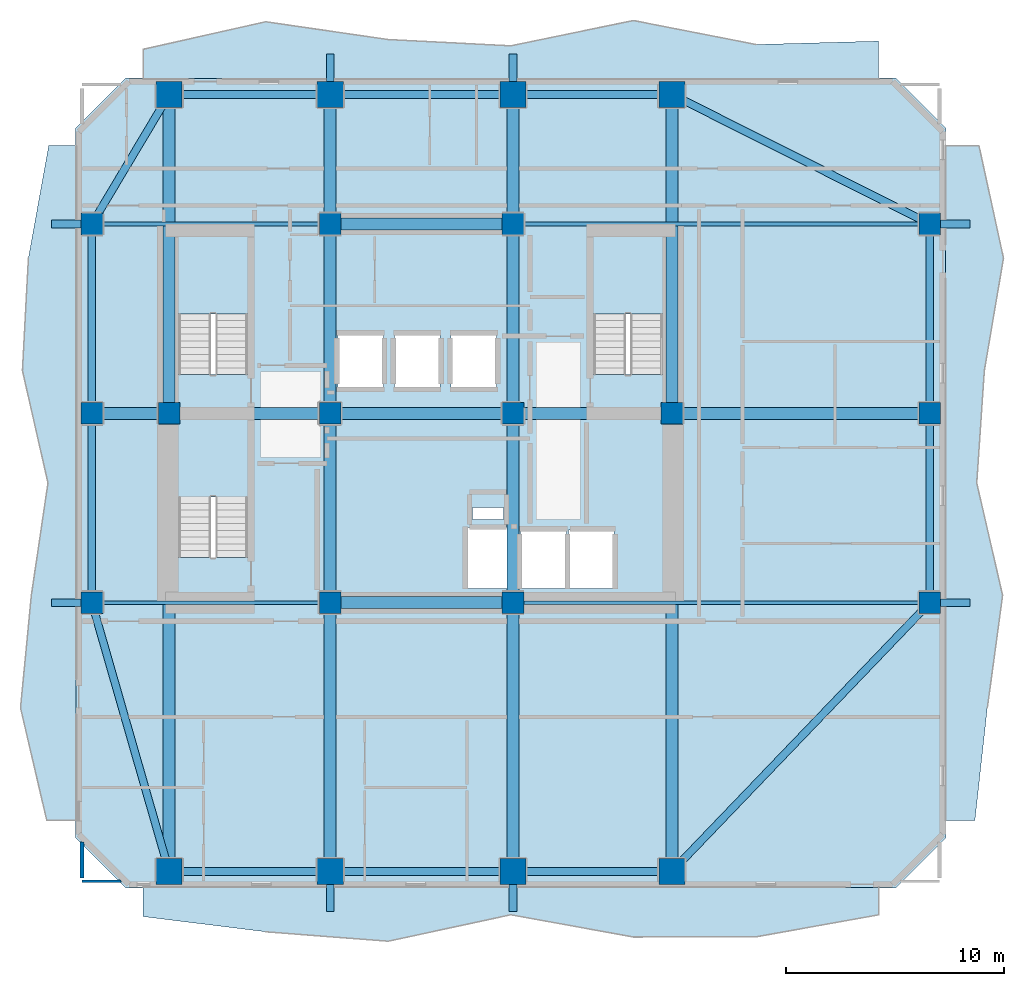
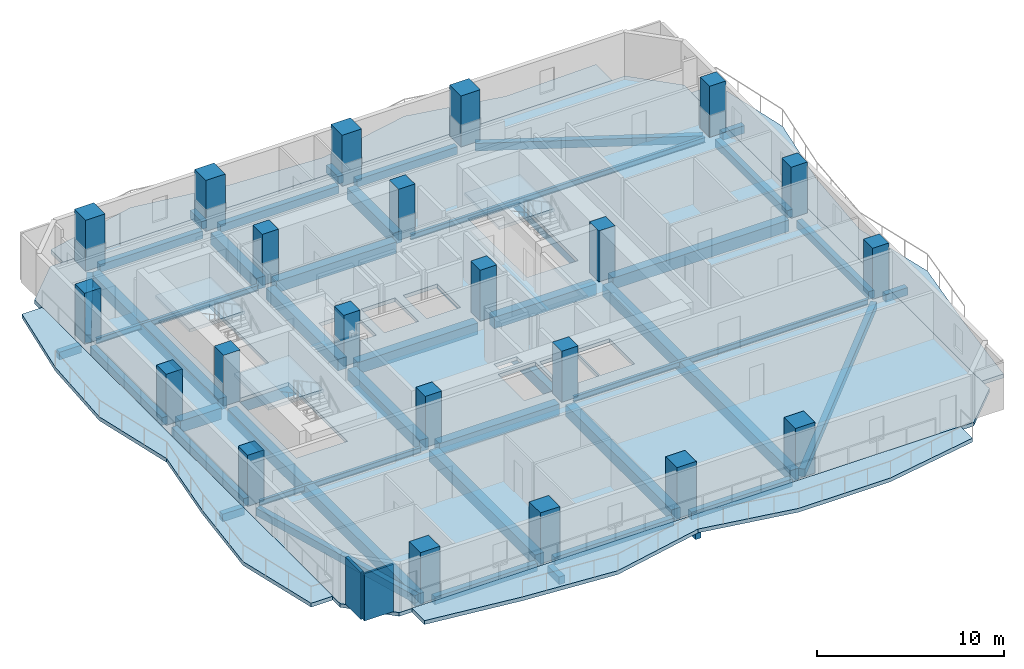
# One storey, part 1 of 9: 45 beams, 22 columns, 8 slabs, 2 walls, 3 elements without a shape of their own.
"""IFC4 building model written with IfcOpenShell, lengths in metres."""

from ifc_helpers import new_model, si_unit, direction, frame, frame_2d, origin, origin_2d, place, context, subcontext, project, spatial, polyline, rectangle, i_section, outline, extrude, material, layer, layer_set, material_profile, profile_set, type_object, element, aggregate, save


model = new_model("IFC4")

# Units and contexts
model_context = context("Model", 3, precision=1e-05, world=origin(), true_north=direction((0.0, 1.0)))
body_context = subcontext(model_context, "Body", "Model", "MODEL_VIEW")
ifc_project = project(units=[si_unit("LENGTHUNIT", "METRE"), si_unit("AREAUNIT", "SQUARE_METRE"), si_unit("VOLUMEUNIT", "CUBIC_METRE"), si_unit("PLANEANGLEUNIT", "RADIAN"), si_unit("MASSUNIT", "GRAM", prefix="KILO")], contexts=[model_context])

# Site, building, storey
site_placement = place(None, origin())
site = spatial("IfcSite", under=ifc_project, at=site_placement, CompositionType="ELEMENT")
building_placement = place(site_placement, origin())
building = spatial("IfcBuilding", under=site, at=building_placement, Name="Solanera Arch Residences", CompositionType="ELEMENT")
storey_placement = place(building_placement, frame((0.0, 0.0, 139.280029296875)))
storey = spatial("IfcBuildingStorey", under=building, at=storey_placement, Name="L40", CompositionType="ELEMENT", Elevation=139.280029296875)

# Columns
ifc_material_1 = material(Name="Concrete C55/67 (f'c = 60 MPa)", Category="concrete")
ifc_material_profile_1 = material_profile(ifc_material_1, rectangle(XDim=1.0, YDim=1.0, at=origin_2d()))
ifc_profile_set_1 = profile_set([ifc_material_profile_1], Name="Concrete C55/67 (f'c = 60 MPa)")
column_type_1 = type_object("IfcColumnType", Name="Structural Column RC-COL-1000X1000", PredefinedType="COLUMN", material=ifc_profile_set_1)
for number, where, z_axis, x_axis, name in (
    (1, (20.800048828125, 22.0, 0.0), (0.0, 0.0, 1.0), (1.0, 0.0, 0.0), "COL-L40-CB-SW"),
    (2, (29.199951171875, 22.0, 0.0), (0.0, 0.0, 1.0), (1.0, 0.0, 0.0), "COL-L40-CB-SE"),
    (3, (20.800048828125, 39.39990234375, 0.0), (0.0, 0.0, 1.0), (1.0, 0.0, 0.0), "COL-L40-CB-NW"),
    (4, (29.199951171875, 39.39990234375, 0.0), (0.0, 0.0, 1.0), (1.0, 0.0, 0.0), "COL-L40-CB-NE"),
    (5, (13.39990234375, 30.699951171875, 0.0), (0.0, 0.0, 1.0), (1.0, 0.0, 0.0), "COL-L40-CB-WW"),
    (6, (36.5, 30.699951171875, 0.0), (0.0, 0.0, 1.0), (1.0, 0.0, 0.0), "COL-L40-CB-EE"),
    (7, (20.800048828125, 30.699951171875, 0.0), (0.0, 0.0, 1.0), (1.0, 0.0, 0.0), "COL-L40-CORE-W"),
    (8, (29.199951171875, 30.699951171875, 0.0), (0.0, 0.0, 1.0), (1.0, 0.0, 0.0), "COL-L40-CORE-E"),
    (9, (9.85009765625, 22.0, 0.0), (0.0, 0.0, 1.0), (1.0, 0.0, 0.0), "COL-L40-TWR-09"),
    (10, (48.35009765625, 22.0, 0.0), (0.0, 0.0, 1.0), (1.0, 0.0, 0.0), "COL-L40-TWR-10"),
    (11, (9.85009765625, 30.699951171875, 0.0), (0.0, 0.0, 1.0), (1.0, 0.0, 0.0), "COL-L40-TWR-11"),
    (12, (48.35009765625, 30.699951171875, 0.0), (0.0, 0.0, 1.0), (1.0, 0.0, 0.0), "COL-L40-TWR-12"),
    (13, (9.85009765625, 39.39990234375, 0.0), (0.0, 0.0, 1.0), (1.0, 0.0, 0.0), "COL-L40-TWR-13"),
    (14, (48.35009765625, 39.39990234375, 0.0), (0.0, 0.0, 1.0), (1.0, 0.0, 0.0), "COL-L40-TWR-14"),
):
    element("IfcColumn", number, at=place(storey_placement, frame(where, z_axis=z_axis, x_axis=x_axis)), inside=storey, type_object=column_type_1, Name=name, PredefinedType="COLUMN", context=body_context, shape_type="SweptSolid", body=[
        extrude(rectangle(XDim=1.0, YDim=1.0, at=origin_2d()), origin(), (0.0, 0.0, 1.0), 3.320068359375),
    ])
ifc_material_2 = material(Name="Concrete C55/67 (f'c = 60 MPa)", Category="concrete")
ifc_material_profile_2 = material_profile(ifc_material_2, rectangle(XDim=1.199951171875, YDim=1.199951171875, at=origin_2d()))
ifc_profile_set_2 = profile_set([ifc_material_profile_2], Name="Concrete C55/67 (f'c = 60 MPa)")
column_type_2 = type_object("IfcColumnType", Name="Structural Column RC-COL-1200X1200", PredefinedType="COLUMN", material=ifc_profile_set_2)
for number, where, z_axis, x_axis, name in (
    (15, (13.39990234375, 9.64990234375, 0.0), (0.0, 0.0, 1.0), (1.0, 0.0, 0.0), "COL-L40-TWR-01"),
    (16, (13.39990234375, 45.35009765625, 0.0), (0.0, 0.0, 1.0), (1.0, 0.0, 0.0), "COL-L40-TWR-02"),
    (17, (20.800048828125, 9.64990234375, 0.0), (0.0, 0.0, 1.0), (1.0, 0.0, 0.0), "COL-L40-TWR-03"),
    (18, (20.800048828125, 45.35009765625, 0.0), (0.0, 0.0, 1.0), (1.0, 0.0, 0.0), "COL-L40-TWR-04"),
    (19, (29.199951171875, 9.64990234375, 0.0), (0.0, 0.0, 1.0), (1.0, 0.0, 0.0), "COL-L40-TWR-05"),
    (20, (29.199951171875, 45.35009765625, 0.0), (0.0, 0.0, 1.0), (1.0, 0.0, 0.0), "COL-L40-TWR-06"),
    (21, (36.5, 9.64990234375, 0.0), (0.0, 0.0, 1.0), (1.0, 0.0, 0.0), "COL-L40-TWR-07"),
    (22, (36.5, 45.35009765625, 0.0), (0.0, 0.0, 1.0), (1.0, 0.0, 0.0), "COL-L40-TWR-08"),
):
    element("IfcColumn", number, at=place(storey_placement, frame(where, z_axis=z_axis, x_axis=x_axis)), inside=storey, type_object=column_type_2, Name=name, PredefinedType="COLUMN", context=body_context, shape_type="SweptSolid", body=[
        extrude(rectangle(XDim=1.199951171875, YDim=1.199951171875, at=origin_2d()), origin(), (0.0, 0.0, 1.0), 3.320068359375),
    ])

# Beams
ifc_material_3 = material(Name="Concrete C40/50 (f'c = 45 MPa)", Category="concrete")
ifc_material_profile_3 = material_profile(ifc_material_3, rectangle(XDim=0.35009765625, YDim=0.5, at=origin_2d()))
ifc_profile_set_3 = profile_set([ifc_material_profile_3], Name="Concrete C40/50 (f'c = 45 MPa)")
beam_type_1 = type_object("IfcBeamType", Name="BM-BALC-RIB", PredefinedType="BEAM", material=ifc_profile_set_3)
for number, where, z_axis, x_axis, name in (
    (23, (20.800048828125, 7.800048828125, -0.5), (0.0, 1.0, 0.0), (-1.0, 0.0, 0.0), "BM-L40-BRIB-S1"),
    (24, (29.199951171875, 7.800048828125, -0.5), (0.0, 1.0, 0.0), (-1.0, 0.0, 0.0), "BM-L40-BRIB-S2"),
    (25, (20.800048828125, 45.949951171875, -0.5), (0.0, 1.0, 0.0), (-1.0, 0.0, 0.0), "BM-L40-BRIB-N1"),
    (26, (29.199951171875, 45.949951171875, -0.5), (0.0, 1.0, 0.0), (-1.0, 0.0, 0.0), "BM-L40-BRIB-N2"),
):
    element("IfcBeam", number, at=place(storey_placement, frame(where, z_axis=z_axis, x_axis=x_axis)), inside=storey, type_object=beam_type_1, Name=name, PredefinedType="BEAM", context=body_context, shape_type="SweptSolid", body=[
        extrude(rectangle(XDim=0.35009765625, YDim=0.5, at=origin_2d()), origin(), (0.0, 0.0, 1.0), 1.25),
    ])
for number, where, z_axis, x_axis, name in (
    (27, (48.85009765625, 22.0, -0.5), (1.0, 0.0, 0.0), (0.0, 1.0, 0.0), "BM-L40-BRIB-E1"),
    (28, (48.85009765625, 39.39990234375, -0.5), (1.0, 0.0, 0.0), (0.0, 1.0, 0.0), "BM-L40-BRIB-E2"),
):
    element("IfcBeam", number, at=place(storey_placement, frame(where, z_axis=z_axis, x_axis=x_axis)), inside=storey, type_object=beam_type_1, Name=name, PredefinedType="BEAM", context=body_context, shape_type="SweptSolid", body=[
        extrude(rectangle(XDim=0.35009765625, YDim=0.5, at=origin_2d()), origin(), (0.0, 0.0, 1.0), 1.349853515625),
    ])
for number, where, z_axis, x_axis, name in (
    (29, (8.0, 22.0, -0.5), (1.0, 0.0, 0.0), (0.0, 1.0, 0.0), "BM-L40-BRIB-W1"),
    (30, (8.0, 39.39990234375, -0.5), (1.0, 0.0, 0.0), (0.0, 1.0, 0.0), "BM-L40-BRIB-W2"),
):
    element("IfcBeam", number, at=place(storey_placement, frame(where, z_axis=z_axis, x_axis=x_axis)), inside=storey, type_object=beam_type_1, Name=name, PredefinedType="BEAM", context=body_context, shape_type="SweptSolid", body=[
        extrude(rectangle(XDim=0.35009765625, YDim=0.5, at=origin_2d()), origin(), (0.0, 0.0, 1.0), 1.35009765625),
    ])
ifc_material_4 = material(Name="Concrete C40/50 (f'c = 45 MPa)", Category="concrete")
ifc_material_profile_4 = material_profile(ifc_material_4, rectangle(XDim=0.550048828125, YDim=0.75, at=origin_2d()))
ifc_profile_set_4 = profile_set([ifc_material_profile_4], Name="Concrete C40/50 (f'c = 45 MPa)")
beam_type_2 = type_object("IfcBeamType", Name="Primary Beam RC-BM-550X750", PredefinedType="BEAM", material=ifc_profile_set_4)
beam_1_placement = place(storey_placement, frame((20.800048828125, 22.50390625, -0.614990234375), z_axis=(0.0, 1.0, 0.0), x_axis=(-1.0, 0.0, 0.0)))
element("IfcBeam", 31, at=beam_1_placement, inside=storey, type_object=beam_type_2, Name="BM-L40-CC-S-208", PredefinedType="BEAM", context=body_context, shape_type="SweptSolid", body=[
    extrude(rectangle(XDim=0.550048828125, YDim=0.75, at=origin_2d()), origin(), (0.0, 0.0, 1.0), 7.692138671875),
])
beam_2_placement = place(storey_placement, frame((20.800048828125, 31.2041015625, -0.614990234375), z_axis=(0.0, 1.0, 0.0), x_axis=(-1.0, 0.0, 0.0)))
element("IfcBeam", 32, at=beam_2_placement, inside=storey, type_object=beam_type_2, Name="BM-L40-CC-N-208", PredefinedType="BEAM", context=body_context, shape_type="SweptSolid", body=[
    extrude(rectangle(XDim=0.550048828125, YDim=0.75, at=origin_2d()), origin(), (0.0, 0.0, 1.0), 7.69189453125),
])
beam_3_placement = place(storey_placement, frame((29.199951171875, 22.50390625, -0.614990234375), z_axis=(0.0, 1.0, 0.0), x_axis=(-1.0, 0.0, 0.0)))
element("IfcBeam", 33, at=beam_3_placement, inside=storey, type_object=beam_type_2, Name="BM-L40-CC-S-292", PredefinedType="BEAM", context=body_context, shape_type="SweptSolid", body=[
    extrude(rectangle(XDim=0.550048828125, YDim=0.75, at=origin_2d()), origin(), (0.0, 0.0, 1.0), 7.692138671875),
])
beam_4_placement = place(storey_placement, frame((29.199951171875, 31.2041015625, -0.614990234375), z_axis=(0.0, 1.0, 0.0), x_axis=(-1.0, 0.0, 0.0)))
element("IfcBeam", 34, at=beam_4_placement, inside=storey, type_object=beam_type_2, Name="BM-L40-CC-N-292", PredefinedType="BEAM", context=body_context, shape_type="SweptSolid", body=[
    extrude(rectangle(XDim=0.550048828125, YDim=0.75, at=origin_2d()), origin(), (0.0, 0.0, 1.0), 7.69189453125),
])
for number, where, z_axis, x_axis, name in (
    (35, (21.303955078125, 22.0, -0.614990234375), (1.0, 0.0, 0.0), (0.0, 1.0, 0.0), "BM-L40-CC-M-220"),
    (36, (21.303955078125, 30.699951171875, -0.614990234375), (1.0, 0.0, 0.0), (0.0, 1.0, 0.0), "BM-L40-CC-M-307"),
    (37, (21.303955078125, 39.39990234375, -0.614990234375), (1.0, 0.0, 0.0), (0.0, 1.0, 0.0), "BM-L40-CC-M-394"),
):
    element("IfcBeam", number, at=place(storey_placement, frame(where, z_axis=z_axis, x_axis=x_axis)), inside=storey, type_object=beam_type_2, Name=name, PredefinedType="BEAM", context=body_context, shape_type="SweptSolid", body=[
        extrude(rectangle(XDim=0.550048828125, YDim=0.75, at=origin_2d()), origin(), (0.0, 0.0, 1.0), 7.39208984375),
    ])
beam_5_placement = place(storey_placement, frame((13.904052734375, 30.699951171875, -0.614990234375), z_axis=(1.0, 0.0, 0.0), x_axis=(0.0, 1.0, 0.0)))
element("IfcBeam", 38, at=beam_5_placement, inside=storey, type_object=beam_type_2, Name="BM-L40-CC-W", PredefinedType="BEAM", context=body_context, shape_type="SweptSolid", body=[
    extrude(rectangle(XDim=0.550048828125, YDim=0.75, at=origin_2d()), origin(), (0.0, 0.0, 1.0), 6.391845703125),
])
beam_6_placement = place(storey_placement, frame((29.7041015625, 30.699951171875, -0.614990234375), z_axis=(1.0, 0.0, 0.0), x_axis=(0.0, 1.0, 0.0)))
element("IfcBeam", 39, at=beam_6_placement, inside=storey, type_object=beam_type_2, Name="BM-L40-CC-E", PredefinedType="BEAM", context=body_context, shape_type="SweptSolid", body=[
    extrude(rectangle(XDim=0.550048828125, YDim=0.75, at=origin_2d()), origin(), (0.0, 0.0, 1.0), 6.2919921875),
])
beam_7_placement = place(storey_placement, frame((20.800048828125, 10.18994140625, -0.614990234375), z_axis=(0.0, 1.0, 0.0), x_axis=(-1.0, 0.0, 0.0)))
element("IfcBeam", 40, at=beam_7_placement, inside=storey, type_object=beam_type_2, Name="BM-L40-RAD-S-208", PredefinedType="BEAM", context=body_context, shape_type="SweptSolid", body=[
    extrude(rectangle(XDim=0.550048828125, YDim=0.75, at=origin_2d()), origin(), (0.0, 0.0, 1.0), 11.30615234375),
])
beam_8_placement = place(storey_placement, frame((20.800048828125, 39.904052734375, -0.614990234375), z_axis=(0.0, 1.0, 0.0), x_axis=(-1.0, 0.0, 0.0)))
element("IfcBeam", 41, at=beam_8_placement, inside=storey, type_object=beam_type_2, Name="BM-L40-RAD-N-208", PredefinedType="BEAM", context=body_context, shape_type="SweptSolid", body=[
    extrude(rectangle(XDim=0.550048828125, YDim=0.75, at=origin_2d()), origin(), (0.0, 0.0, 1.0), 4.906005859375),
])
beam_9_placement = place(storey_placement, frame((29.199951171875, 10.18994140625, -0.614990234375), z_axis=(0.0, 1.0, 0.0), x_axis=(-1.0, 0.0, 0.0)))
element("IfcBeam", 42, at=beam_9_placement, inside=storey, type_object=beam_type_2, Name="BM-L40-RAD-S-292", PredefinedType="BEAM", context=body_context, shape_type="SweptSolid", body=[
    extrude(rectangle(XDim=0.550048828125, YDim=0.75, at=origin_2d()), origin(), (0.0, 0.0, 1.0), 11.30615234375),
])
beam_10_placement = place(storey_placement, frame((29.199951171875, 39.904052734375, -0.614990234375), z_axis=(0.0, 1.0, 0.0), x_axis=(-1.0, 0.0, 0.0)))
element("IfcBeam", 43, at=beam_10_placement, inside=storey, type_object=beam_type_2, Name="BM-L40-RAD-N-292", PredefinedType="BEAM", context=body_context, shape_type="SweptSolid", body=[
    extrude(rectangle(XDim=0.550048828125, YDim=0.75, at=origin_2d()), origin(), (0.0, 0.0, 1.0), 4.906005859375),
])
beam_11_placement = place(storey_placement, frame((13.39990234375, 10.18994140625, -0.614990234375), z_axis=(0.0, 1.0, 0.0), x_axis=(-1.0, 0.0, 0.0)))
element("IfcBeam", 44, at=beam_11_placement, inside=storey, type_object=beam_type_2, Name="BM-L40-RAD-OS-134", PredefinedType="BEAM", context=body_context, shape_type="SweptSolid", body=[
    extrude(rectangle(XDim=0.550048828125, YDim=0.75, at=origin_2d()), origin(), (0.0, 0.0, 1.0), 20.006103515625),
])
beam_12_placement = place(storey_placement, frame((13.39990234375, 31.2041015625, -0.614990234375), z_axis=(0.0, 1.0, 0.0), x_axis=(-1.0, 0.0, 0.0)))
element("IfcBeam", 45, at=beam_12_placement, inside=storey, type_object=beam_type_2, Name="BM-L40-RAD-ON-134", PredefinedType="BEAM", context=body_context, shape_type="SweptSolid", body=[
    extrude(rectangle(XDim=0.550048828125, YDim=0.75, at=origin_2d()), origin(), (0.0, 0.0, 1.0), 13.60595703125),
])
beam_13_placement = place(storey_placement, frame((36.5, 10.18994140625, -0.614990234375), z_axis=(0.0, 1.0, 0.0), x_axis=(-1.0, 0.0, 0.0)))
element("IfcBeam", 46, at=beam_13_placement, inside=storey, type_object=beam_type_2, Name="BM-L40-RAD-OS-365", PredefinedType="BEAM", context=body_context, shape_type="SweptSolid", body=[
    extrude(rectangle(XDim=0.550048828125, YDim=0.75, at=origin_2d()), origin(), (0.0, 0.0, 1.0), 20.006103515625),
])
beam_14_placement = place(storey_placement, frame((36.5, 31.2041015625, -0.614990234375), z_axis=(0.0, 1.0, 0.0), x_axis=(-1.0, 0.0, 0.0)))
element("IfcBeam", 47, at=beam_14_placement, inside=storey, type_object=beam_type_2, Name="BM-L40-RAD-ON-365", PredefinedType="BEAM", context=body_context, shape_type="SweptSolid", body=[
    extrude(rectangle(XDim=0.550048828125, YDim=0.75, at=origin_2d()), origin(), (0.0, 0.0, 1.0), 13.60595703125),
])
beam_15_placement = place(storey_placement, frame((10.35400390625, 30.699951171875, -0.614990234375), z_axis=(1.0, 0.0, 0.0), x_axis=(0.0, 1.0, 0.0)))
element("IfcBeam", 48, at=beam_15_placement, inside=storey, type_object=beam_type_2, Name="BM-L40-RAD-MW", PredefinedType="BEAM", context=body_context, shape_type="SweptSolid", body=[
    extrude(rectangle(XDim=0.550048828125, YDim=0.75, at=origin_2d()), origin(), (0.0, 0.0, 1.0), 2.5419921875),
])
beam_16_placement = place(storey_placement, frame((37.00390625, 30.699951171875, -0.614990234375), z_axis=(1.0, 0.0, 0.0), x_axis=(0.0, 1.0, 0.0)))
element("IfcBeam", 49, at=beam_16_placement, inside=storey, type_object=beam_type_2, Name="BM-L40-RAD-ME", PredefinedType="BEAM", context=body_context, shape_type="SweptSolid", body=[
    extrude(rectangle(XDim=0.550048828125, YDim=0.75, at=origin_2d()), origin(), (0.0, 0.0, 1.0), 10.842041015625),
])
ifc_material_5 = material(Name="Steel S355 (ASTM A992 / A572 Grade 50)", Category="steel")
ifc_material_profile_5 = material_profile(ifc_material_5, i_section(OverallWidth=0.172119140625, OverallDepth=0.35791015625, WebThickness=0.0078125, FlangeThickness=0.01318359375, at=origin_2d()))
ifc_profile_set_5 = profile_set([ifc_material_profile_5], Name="Steel S355 (ASTM A992 / A572 Grade 50)")
beam_type_3 = type_object("IfcBeamType", Name="Secondary Joist W360X57.8", PredefinedType="JOIST", material=ifc_profile_set_5)
beam_17_placement = place(storey_placement, frame((10.35400390625, 22.0, -0.4189453125), z_axis=(1.0, 0.0, 0.0), x_axis=(0.0, 1.0, 0.0)))
element("IfcBeam", 50, at=beam_17_placement, inside=storey, type_object=beam_type_3, Name="BM-L40-RAD-W-220", PredefinedType="JOIST", context=body_context, shape_type="SweptSolid", body=[
    extrude(i_section(OverallWidth=0.172119140625, OverallDepth=0.35791015625, WebThickness=0.0078125, FlangeThickness=0.01318359375, at=origin_2d()), origin(), (0.0, 0.0, 1.0), 9.94189453125),
])
beam_18_placement = place(storey_placement, frame((29.7041015625, 22.0, -0.4189453125), z_axis=(1.0, 0.0, 0.0), x_axis=(0.0, 1.0, 0.0)))
element("IfcBeam", 51, at=beam_18_placement, inside=storey, type_object=beam_type_3, Name="BM-L40-RAD-E-220", PredefinedType="JOIST", context=body_context, shape_type="SweptSolid", body=[
    extrude(i_section(OverallWidth=0.172119140625, OverallDepth=0.35791015625, WebThickness=0.0078125, FlangeThickness=0.01318359375, at=origin_2d()), origin(), (0.0, 0.0, 1.0), 18.141845703125),
])
beam_19_placement = place(storey_placement, frame((10.35400390625, 39.39990234375, -0.4189453125), z_axis=(1.0, 0.0, 0.0), x_axis=(0.0, 1.0, 0.0)))
element("IfcBeam", 52, at=beam_19_placement, inside=storey, type_object=beam_type_3, Name="BM-L40-RAD-W-394", PredefinedType="JOIST", context=body_context, shape_type="SweptSolid", body=[
    extrude(i_section(OverallWidth=0.172119140625, OverallDepth=0.35791015625, WebThickness=0.0078125, FlangeThickness=0.01318359375, at=origin_2d()), origin(), (0.0, 0.0, 1.0), 9.94189453125),
])
beam_20_placement = place(storey_placement, frame((29.7041015625, 39.39990234375, -0.4189453125), z_axis=(1.0, 0.0, 0.0), x_axis=(0.0, 1.0, 0.0)))
element("IfcBeam", 53, at=beam_20_placement, inside=storey, type_object=beam_type_3, Name="BM-L40-RAD-E-394", PredefinedType="JOIST", context=body_context, shape_type="SweptSolid", body=[
    extrude(i_section(OverallWidth=0.172119140625, OverallDepth=0.35791015625, WebThickness=0.0078125, FlangeThickness=0.01318359375, at=origin_2d()), origin(), (0.0, 0.0, 1.0), 18.141845703125),
])
ifc_material_6 = material(Name="Concrete C40/50 (f'c = 45 MPa)", Category="concrete")
ifc_material_profile_6 = material_profile(ifc_material_6, rectangle(XDim=0.35009765625, YDim=0.5, at=origin_2d()))
ifc_profile_set_6 = profile_set([ifc_material_profile_6], Name="Concrete C40/50 (f'c = 45 MPa)")
beam_type_4 = type_object("IfcBeamType", Name="Spandrel Beam RC-BM-350X500", PredefinedType="SPANDREL", material=ifc_profile_set_6)
for number, where, z_axis, x_axis, name in (
    (54, (13.93994140625, 9.64990234375, -0.489990234375), (1.0, 0.0, 0.0), (0.0, 1.0, 0.0), "BM-L40-SPN-S-1"),
    (55, (13.93994140625, 45.35009765625, -0.489990234375), (1.0, 0.0, 0.0), (0.0, 1.0, 0.0), "BM-L40-SPN-N-1"),
):
    element("IfcBeam", number, at=place(storey_placement, frame(where, z_axis=z_axis, x_axis=x_axis)), inside=storey, type_object=beam_type_4, Name=name, PredefinedType="SPANDREL", context=body_context, shape_type="SweptSolid", body=[
        extrude(rectangle(XDim=0.35009765625, YDim=0.5, at=origin_2d()), origin(), (0.0, 0.0, 1.0), 6.320068359375),
    ])
for number, where, z_axis, x_axis, name in (
    (56, (21.340087890625, 9.64990234375, -0.489990234375), (1.0, 0.0, 0.0), (0.0, 1.0, 0.0), "BM-L40-SPN-S-2"),
    (57, (21.340087890625, 45.35009765625, -0.489990234375), (1.0, 0.0, 0.0), (0.0, 1.0, 0.0), "BM-L40-SPN-N-2"),
):
    element("IfcBeam", number, at=place(storey_placement, frame(where, z_axis=z_axis, x_axis=x_axis)), inside=storey, type_object=beam_type_4, Name=name, PredefinedType="SPANDREL", context=body_context, shape_type="SweptSolid", body=[
        extrude(rectangle(XDim=0.35009765625, YDim=0.5, at=origin_2d()), origin(), (0.0, 0.0, 1.0), 7.31982421875),
    ])
for number, where, z_axis, x_axis, name in (
    (58, (29.739990234375, 9.64990234375, -0.489990234375), (1.0, 0.0, 0.0), (0.0, 1.0, 0.0), "BM-L40-SPN-S-3"),
    (59, (29.739990234375, 45.35009765625, -0.489990234375), (1.0, 0.0, 0.0), (0.0, 1.0, 0.0), "BM-L40-SPN-N-3"),
):
    element("IfcBeam", number, at=place(storey_placement, frame(where, z_axis=z_axis, x_axis=x_axis)), inside=storey, type_object=beam_type_4, Name=name, PredefinedType="SPANDREL", context=body_context, shape_type="SweptSolid", body=[
        extrude(rectangle(XDim=0.35009765625, YDim=0.5, at=origin_2d()), origin(), (0.0, 0.0, 1.0), 6.219970703125),
    ])
for number, where, z_axis, x_axis, name in (
    (60, (9.85009765625, 22.50390625, -0.489990234375), (0.0, 1.0, 0.0), (-1.0, 0.0, 0.0), "BM-L40-SPN-W-1"),
    (61, (48.35009765625, 22.50390625, -0.489990234375), (0.0, 1.0, 0.0), (-1.0, 0.0, 0.0), "BM-L40-SPN-E-1"),
):
    element("IfcBeam", number, at=place(storey_placement, frame(where, z_axis=z_axis, x_axis=x_axis)), inside=storey, type_object=beam_type_4, Name=name, PredefinedType="SPANDREL", context=body_context, shape_type="SweptSolid", body=[
        extrude(rectangle(XDim=0.35009765625, YDim=0.5, at=origin_2d()), origin(), (0.0, 0.0, 1.0), 7.692138671875),
    ])
for number, where, z_axis, x_axis, name in (
    (62, (9.85009765625, 31.2041015625, -0.489990234375), (0.0, 1.0, 0.0), (-1.0, 0.0, 0.0), "BM-L40-SPN-W-2"),
    (63, (48.35009765625, 31.2041015625, -0.489990234375), (0.0, 1.0, 0.0), (-1.0, 0.0, 0.0), "BM-L40-SPN-E-2"),
):
    element("IfcBeam", number, at=place(storey_placement, frame(where, z_axis=z_axis, x_axis=x_axis)), inside=storey, type_object=beam_type_4, Name=name, PredefinedType="SPANDREL", context=body_context, shape_type="SweptSolid", body=[
        extrude(rectangle(XDim=0.35009765625, YDim=0.5, at=origin_2d()), origin(), (0.0, 0.0, 1.0), 7.69189453125),
    ])
beam_21_placement = place(storey_placement, frame((13.2509765625, 10.1689453125, -0.489990234375), z_axis=(-0.276252894432, 0.961084979759, 0.0), x_axis=(-0.961084979759, -0.276252894432, 0.0)))
element("IfcBeam", 64, at=beam_21_placement, inside=storey, type_object=beam_type_4, Name="BM-L40-SPN-SW", PredefinedType="SPANDREL", context=body_context, shape_type="SweptSolid", body=[
    extrude(rectangle(XDim=0.35009765625, YDim=0.5, at=origin_2d()), origin(), (0.0, 0.0, 1.0), 11.785888671875),
])
beam_22_placement = place(storey_placement, frame((13.123046875, 44.885986328125, -0.489990234375), z_axis=(-0.512345287807, -0.858779544506, 0.0), x_axis=(0.858779544506, -0.512345287807, 0.0)))
element("IfcBeam", 65, at=beam_22_placement, inside=storey, type_object=beam_type_4, Name="BM-L40-SPN-NW", PredefinedType="SPANDREL", context=body_context, shape_type="SweptSolid", body=[
    extrude(rectangle(XDim=0.35009765625, YDim=0.5, at=origin_2d()), origin(), (0.0, 0.0, 1.0), 5.847900390625),
])
beam_23_placement = place(storey_placement, frame((36.8740234375, 10.0400390625, -0.489990234375), z_axis=(0.692362566924, 0.721549773697, 0.0), x_axis=(-0.721549773697, 0.692362566924, 0.0)))
element("IfcBeam", 66, at=beam_23_placement, inside=storey, type_object=beam_type_4, Name="BM-L40-SPN-SE", PredefinedType="SPANDREL", context=body_context, shape_type="SweptSolid", body=[
    extrude(rectangle(XDim=0.35009765625, YDim=0.5, at=origin_2d()), origin(), (0.0, 0.0, 1.0), 16.034912109375),
])
beam_24_placement = place(storey_placement, frame((36.98291015625, 45.10791015625, -0.489990234375), z_axis=(0.893644053725, -0.448776453529, 0.0), x_axis=(0.448776453529, 0.893644053725, 0.0)))
element("IfcBeam", 67, at=beam_24_placement, inside=storey, type_object=beam_type_4, Name="BM-L40-SPN-NE", PredefinedType="SPANDREL", context=body_context, shape_type="SweptSolid", body=[
    extrude(rectangle(XDim=0.35009765625, YDim=0.5, at=origin_2d()), origin(), (0.0, 0.0, 1.0), 12.179443359375),
])

# Slabs
ifc_material_7 = material(Name="Concrete C40/50 (f'c = 45 MPa)", Category="concrete")
ifc_layer_1 = layer(ifc_material_7, 0.25)
ifc_layer_set_1 = layer_set([ifc_layer_1], Name="Concrete C40/50 (f'c = 45 MPa)")
slab_type_1 = type_object("IfcSlabType", Name="Balcony Slab 250", PredefinedType="FLOOR", material=ifc_layer_set_1)
slab_1_placement = place(storey_placement, frame((0.0, 0.0, -0.25)))
element("IfcSlab", 68, at=slab_1_placement, inside=storey, type_object=slab_type_1, Name="L40 S Rippling Brise-Soleil Balcony Slab", PredefinedType="FLOOR", context=body_context, shape_type="SweptSolid", body=[
    extrude(outline(polyline([(12.199951171875, 7.574951171875), (17.8330078125, 6.876953125), (23.467041015625, 6.445068359375), (29.10009765625, 7.659912109375), (34.73291015625, 6.637939453125), (40.366943359375, 6.64599609375), (46.0, 7.657958984375), (46.0, 8.919921875), (12.199951171875, 8.919921875), (12.199951171875, 7.574951171875)])), origin(), (0.0, 0.0, 1.0), 0.25),
])
slab_2_placement = place(storey_placement, frame((0.0, 0.0, -0.25)))
element("IfcSlab", 69, at=slab_2_placement, inside=storey, type_object=slab_type_1, Name="L40 N Rippling Brise-Soleil Balcony Slab", PredefinedType="FLOOR", context=body_context, shape_type="SweptSolid", body=[
    extrude(outline(polyline([(46.0, 47.802978515625), (40.366943359375, 47.64599609375), (34.73291015625, 48.7490234375), (29.10009765625, 47.5859375), (23.467041015625, 47.8740234375), (17.8330078125, 48.69189453125), (12.199951171875, 47.425048828125), (12.199951171875, 46.080078125), (46.0, 46.080078125), (46.0, 47.802978515625)])), origin(), (0.0, 0.0, 1.0), 0.25),
])
slab_3_placement = place(storey_placement, frame((0.0, 0.0, -0.25)))
element("IfcSlab", 70, at=slab_3_placement, inside=storey, type_object=slab_type_1, Name="L40 E Rippling Brise-Soleil Balcony Slab", PredefinedType="FLOOR", context=body_context, shape_type="SweptSolid", body=[
    extrude(outline(polyline([(50.425048828125, 12.0), (50.993896484375, 17.1669921875), (51.696044921875, 22.3330078125), (50.506103515625, 27.5), (50.85595703125, 32.6669921875), (51.736083984375, 37.8330078125), (50.60791015625, 43.0), (49.080078125, 43.0), (49.080078125, 12.0), (50.425048828125, 12.0)])), origin(), (0.0, 0.0, 1.0), 0.25),
])
slab_4_placement = place(storey_placement, frame((0.0, 0.0, -0.25)))
element("IfcSlab", 71, at=slab_4_placement, inside=storey, type_object=slab_type_1, Name="L40 W Rippling Brise-Soleil Balcony Slab", PredefinedType="FLOOR", context=body_context, shape_type="SweptSolid", body=[
    extrude(outline(polyline([(7.864013671875, 43.0), (6.931884765625, 37.8330078125), (6.657958984375, 32.6669921875), (7.83203125, 27.5), (7.06689453125, 22.3330078125), (6.570068359375, 17.1669921875), (7.77490234375, 12.0), (9.1201171875, 12.0), (9.1201171875, 43.0), (7.864013671875, 43.0)])), origin(), (0.0, 0.0, 1.0), 0.25),
])

# Stair, slab
ifc_material_8 = material(Name="Concrete C40/50 (f'c = 45 MPa)", Category="concrete")
stair_type = type_object("IfcStairType", Name="Tower Dogleg Exit Stair 1480", PredefinedType="HALF_TURN_STAIR", material=ifc_material_8)
stair_1_placement = place(storey_placement, origin())
stair_1 = element("IfcStair", 72, at=stair_1_placement, inside=storey, type_object=stair_type, Name="L40 Tower Core Exit Stair 1", PredefinedType="HALF_TURN_STAIR")
ifc_material_9 = material(Name="Concrete C40/50 (f'c = 45 MPa)", Category="concrete")
ifc_layer_2 = layer(ifc_material_9, 0.199951171875)
ifc_layer_set_2 = layer_set([ifc_layer_2], Name="Concrete C40/50 (f'c = 45 MPa)")
slab_type_2 = type_object("IfcSlabType", Name="Stair Half-Landing Slab 200", PredefinedType="LANDING", material=ifc_layer_set_2)
slab_5_placement = place(storey_placement, frame((0.0, 0.0, 1.4599609375)))
slab_5 = element("IfcSlab", 73, at=slab_5_placement, type_object=slab_type_2, Name="ST-T1 landing 1", PredefinedType="LANDING", context=body_context, shape_type="SweptSolid", body=[
    extrude(outline(polyline([(17.1201171875, 35.260009765625), (17.1201171875, 38.919921875), (13.719970703125, 38.919921875), (13.719970703125, 35.260009765625), (17.1201171875, 35.260009765625)])), origin(), (0.0, 0.0, 1.0), 0.199951171875),
])
aggregate(stair_1, [slab_5])

stair_2_placement = place(storey_placement, origin())
stair_2 = element("IfcStair", 74, at=stair_2_placement, inside=storey, type_object=stair_type, Name="L40 Tower Core Exit Stair 2", PredefinedType="HALF_TURN_STAIR")
slab_6_placement = place(storey_placement, frame((0.0, 0.0, 1.4599609375)))
slab_6 = element("IfcSlab", 75, at=slab_6_placement, type_object=slab_type_2, Name="ST-T2 landing 1", PredefinedType="LANDING", context=body_context, shape_type="SweptSolid", body=[
    extrude(outline(polyline([(36.179931640625, 35.260009765625), (36.179931640625, 38.919921875), (32.780029296875, 38.919921875), (32.780029296875, 35.260009765625), (36.179931640625, 35.260009765625)])), origin(), (0.0, 0.0, 1.0), 0.199951171875),
])
aggregate(stair_2, [slab_6])

stair_3_placement = place(storey_placement, origin())
stair_3 = element("IfcStair", 76, at=stair_3_placement, inside=storey, type_object=stair_type, Name="L40 Tower Core Exit Stair 3", PredefinedType="HALF_TURN_STAIR")
slab_7_placement = place(storey_placement, frame((0.0, 0.0, 1.4599609375)))
slab_7 = element("IfcSlab", 77, at=slab_7_placement, type_object=slab_type_2, Name="ST-T3 landing 1", PredefinedType="LANDING", context=body_context, shape_type="SweptSolid", body=[
    extrude(outline(polyline([(17.1201171875, 26.860107421875), (17.1201171875, 30.52001953125), (13.719970703125, 30.52001953125), (13.719970703125, 26.860107421875), (17.1201171875, 26.860107421875)])), origin(), (0.0, 0.0, 1.0), 0.199951171875),
])
aggregate(stair_3, [slab_7])

# Slab
ifc_material_10 = material(Name="Concrete C40/50 (f'c = 45 MPa)", Category="concrete")
ifc_layer_3 = layer(ifc_material_10, 0.239990234375)
ifc_layer_set_3 = layer_set([ifc_layer_3], Name="Concrete C40/50 (f'c = 45 MPa)")
slab_type_3 = type_object("IfcSlabType", Name="Suspended Floor Slab Post-Tensioned 240", PredefinedType="FLOOR", material=ifc_layer_set_3)
slab_8_placement = place(storey_placement, frame((0.0, 0.0, -0.239990234375)))
element("IfcSlab", 78, at=slab_8_placement, inside=storey, type_object=slab_type_3, Name="L40 Tower Post-Tensioned Floor Slab", PredefinedType="FLOOR", context=body_context, shape_type="SweptSolid", body=[
    extrude(outline(polyline([(11.39990234375, 8.89990234375), (46.800048828125, 8.89990234375), (49.10009765625, 11.199951171875), (49.10009765625, 43.800048828125), (46.800048828125, 46.10009765625), (11.39990234375, 46.10009765625), (9.10009765625, 43.800048828125), (9.10009765625, 11.199951171875), (11.39990234375, 8.89990234375)]), holes=[polyline([(13.840087890625, 32.48291015625), (13.840087890625, 38.800048828125), (17.0, 38.800048828125), (17.0, 32.48291015625), (13.840087890625, 32.48291015625)]), polyline([(32.89990234375, 32.48291015625), (32.89990234375, 38.800048828125), (36.06005859375, 38.800048828125), (36.06005859375, 32.48291015625), (32.89990234375, 32.48291015625)]), polyline([(13.840087890625, 24.0830078125), (13.840087890625, 30.39990234375), (17.0, 30.39990234375), (17.0, 24.0830078125), (13.840087890625, 24.0830078125)]), polyline([(21.14990234375, 34.35009765625), (23.25, 34.35009765625), (23.25, 31.85009765625), (21.14990234375, 31.85009765625), (21.14990234375, 34.35009765625)]), polyline([(23.75, 34.35009765625), (25.85009765625, 34.35009765625), (25.85009765625, 31.85009765625), (23.75, 31.85009765625), (23.75, 34.35009765625)]), polyline([(26.35009765625, 34.35009765625), (28.449951171875, 34.35009765625), (28.449951171875, 31.85009765625), (26.35009765625, 31.85009765625), (26.35009765625, 34.35009765625)]), polyline([(29.550048828125, 25.35009765625), (31.64990234375, 25.35009765625), (31.64990234375, 22.64990234375), (29.550048828125, 22.64990234375), (29.550048828125, 25.35009765625)]), polyline([(31.75, 25.35009765625), (33.85009765625, 25.35009765625), (33.85009765625, 22.64990234375), (31.75, 22.64990234375), (31.75, 25.35009765625)]), polyline([(27.050048828125, 25.449951171875), (29.35009765625, 25.449951171875), (29.35009765625, 22.64990234375), (27.050048828125, 22.64990234375), (27.050048828125, 25.449951171875)]), polyline([(27.340087890625, 26.3798828125), (28.760009765625, 26.3798828125), (28.760009765625, 25.820068359375), (27.340087890625, 25.820068359375), (27.340087890625, 26.3798828125)])]), origin(), (0.0, 0.0, 1.0), 0.239990234375),
])

# Walls
ifc_material_11 = material(Name="Autoclaved Aerated Concrete Blockwork", Category="masonry")
ifc_layer_4 = layer(ifc_material_11, 0.179931640625)
ifc_layer_set_4 = layer_set([ifc_layer_4], Name="Autoclaved Aerated Concrete Blockwork")
wall_type_1 = type_object("IfcWallType", Name="Corridor Fire Partition 180", PredefinedType="PARTITIONING", material=ifc_layer_set_4)
wall_1_placement = place(storey_placement, frame((9.39990234375, 9.35791015625, 0.0), z_axis=(0.0, 0.0, 1.0), x_axis=(0.0, 1.0, 0.0)))
element("IfcWall", 79, at=wall_1_placement, inside=storey, type_object=wall_type_1, Name="L40 Interior Partition V6 1", PredefinedType="PARTITIONING", context=body_context, shape_type="SweptSolid", body=[
    extrude(rectangle(XDim=1.63720703125, YDim=0.179931640625, at=frame_2d((0.818603515625, 0.0))), origin(), (0.0, 0.0, 1.0), 3.080078125),
])
ifc_material_12 = material(Name="Fire-Rated Gypsum Stud Partition", Category="gypsum")
ifc_layer_5 = layer(ifc_material_12, 0.1201171875)
ifc_layer_set_5 = layer_set([ifc_layer_5], Name="Fire-Rated Gypsum Stud Partition")
wall_type_2 = type_object("IfcWallType", Name="Unit Drywall Partition 120", PredefinedType="PARTITIONING", material=ifc_layer_set_5)
wall_2_placement = place(storey_placement, frame((9.39990234375, 9.199951171875, 0.0), z_axis=(0.0, 0.0, 1.0), x_axis=(1.0, 0.0, 0.0)))
element("IfcWall", 80, at=wall_2_placement, inside=storey, type_object=wall_type_2, Name="L40 Interior Partition H17 1", PredefinedType="PARTITIONING", context=body_context, shape_type="SweptSolid", body=[
    extrude(rectangle(XDim=1.795166015625, YDim=0.1201171875, at=frame_2d((0.8974609375, 0.0))), origin(), (0.0, 0.0, 1.0), 3.080078125),
])

save(model, "model.ifc")
